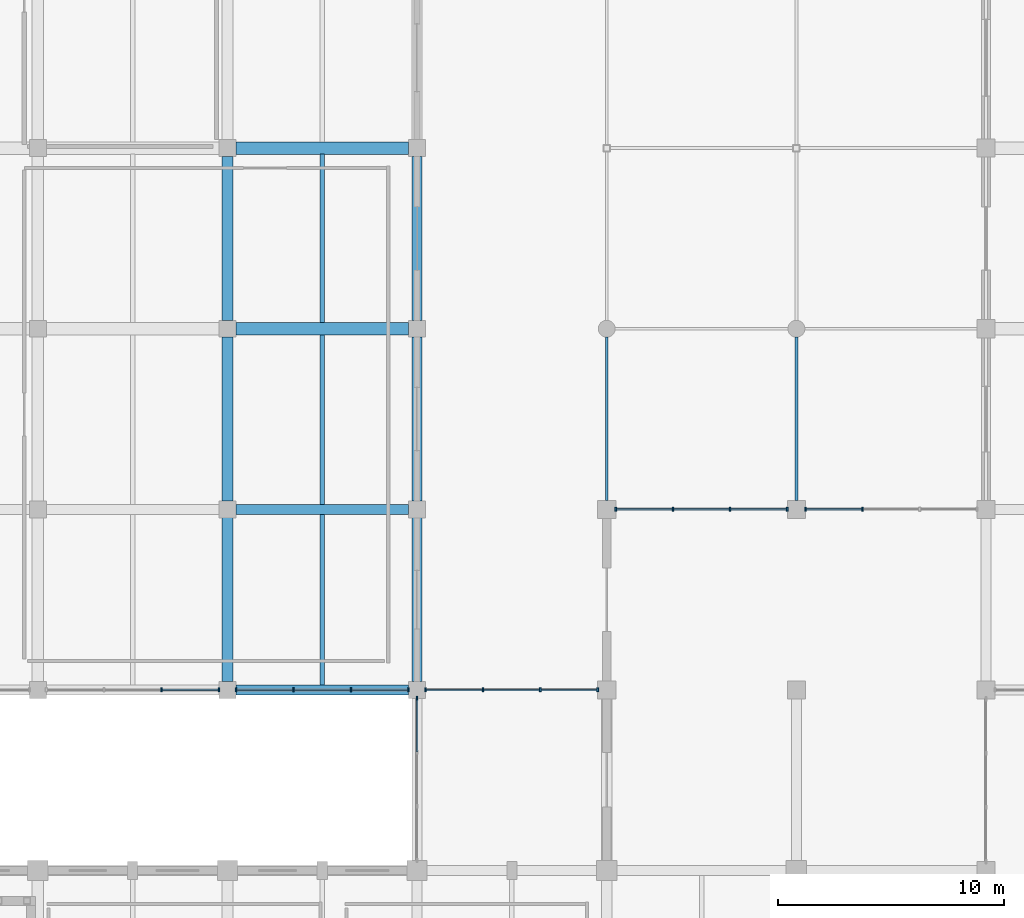
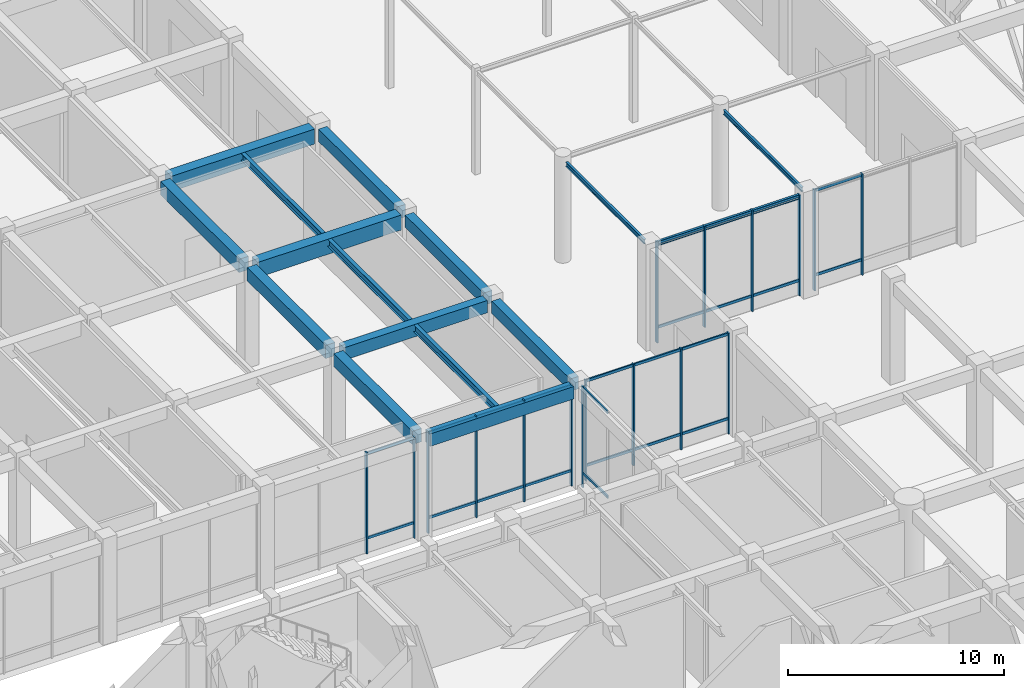
# One storey, part 30 of 76: 41 members, 16 beams, 6 elements without a shape of their own.
"""IFC4 building model written with IfcOpenShell, lengths in metres."""

from ifc_helpers import new_model, si_unit, direction, frame, origin, origin_2d, place, context, subcontext, project, spatial, rectangle, i_section, extrude, material, layer, layer_set, material_profile, profile_set, type_object, element, aggregate, save


model = new_model("IFC4")

# Units and contexts
model_context = context("Model", 3, precision=1e-05, world=origin(), true_north=direction((0.0, 1.0)))
body_context = subcontext(model_context, "Body", "Model", "MODEL_VIEW")
ifc_project = project(units=[si_unit("LENGTHUNIT", "METRE"), si_unit("AREAUNIT", "SQUARE_METRE"), si_unit("VOLUMEUNIT", "CUBIC_METRE"), si_unit("PLANEANGLEUNIT", "RADIAN"), si_unit("MASSUNIT", "GRAM", prefix="KILO")], contexts=[model_context])

# Site, building, storey
site_placement = place(None, origin())
site = spatial("IfcSite", under=ifc_project, at=site_placement, CompositionType="ELEMENT")
building_placement = place(site_placement, origin())
building = spatial("IfcBuilding", under=site, at=building_placement, Name="Naruveol Harbour Congress Hotel", CompositionType="ELEMENT")
storey_placement = place(building_placement, origin())
storey = spatial("IfcBuildingStorey", under=building, at=storey_placement, Name="L00", CompositionType="ELEMENT", Elevation=0.0)

# Beams
ifc_material_1 = material(Name="Concrete C40/50", Category="concrete")
ifc_material_profile_1 = material_profile(ifc_material_1, rectangle(XDim=0.5, YDim=0.75, at=origin_2d()), Name="RCB-500x750")
ifc_profile_set_1 = profile_set([ifc_material_profile_1], Name="Concrete C40/50")
beam_type_1 = type_object("IfcBeamType", Name="RC FLOOR GIRDER 500X750", PredefinedType="BEAM", material=ifc_profile_set_1)
for number, where, z_axis, x_axis, name in (
    (1, (33.60009765625, 64.37109375, 5.324951171875), (0.0, 1.0, 0.0), (-1.0, 0.0, 0.0), "Transverse girder L01 CB3"),
    (2, (33.60009765625, 72.37109375, 5.324951171875), (0.0, 1.0, 0.0), (-1.0, 0.0, 0.0), "Transverse girder L01 CB3"),
    (3, (33.60009765625, 80.37109375, 5.324951171875), (0.0, 1.0, 0.0), (-1.0, 0.0, 0.0), "Transverse girder L01 CB3"),
):
    element("IfcBeam", number, at=place(storey_placement, frame(where, z_axis=z_axis, x_axis=x_axis)), inside=storey, type_object=beam_type_1, Name=name, PredefinedType="BEAM", context=body_context, shape_type="SweptSolid", body=[
        extrude(rectangle(XDim=0.5, YDim=0.75, at=origin_2d()), origin(), (0.0, 0.0, 1.0), 7.2578125),
    ])
ifc_material_2 = material(Name="Concrete C40/50", Category="concrete")
ifc_material_profile_2 = material_profile(ifc_material_2, rectangle(XDim=0.550048828125, YDim=0.85009765625, at=origin_2d()), Name="RCB-550x850")
ifc_profile_set_2 = profile_set([ifc_material_profile_2], Name="Concrete C40/50")
beam_type_2 = type_object("IfcBeamType", Name="RC PRIMARY GIRDER 550X850", PredefinedType="BEAM", material=ifc_profile_set_2)
for number, where, z_axis, x_axis, name in (
    (4, (33.970947265625, 80.0, 5.27490234375), (1.0, 0.0, 0.0), (0.0, 1.0, 0.0), "Floor girder L01 CB2"),
    (5, (33.970947265625, 88.0, 5.27490234375), (1.0, 0.0, 0.0), (0.0, 1.0, 0.0), "Floor girder L01 CB2"),
):
    element("IfcBeam", number, at=place(storey_placement, frame(where, z_axis=z_axis, x_axis=x_axis)), inside=storey, type_object=beam_type_2, Name=name, PredefinedType="BEAM", context=body_context, shape_type="SweptSolid", body=[
        extrude(rectangle(XDim=0.550048828125, YDim=0.85009765625, at=origin_2d()), origin(), (0.0, 0.0, 1.0), 7.657958984375),
    ])
ifc_material_3 = material(Name="Concrete C40/50", Category="concrete")
ifc_material_profile_3 = material_profile(ifc_material_3, rectangle(XDim=0.449951171875, YDim=0.699951171875, at=origin_2d()), Name="RCB-450x700")
ifc_profile_set_3 = profile_set([ifc_material_profile_3], Name="Concrete C40/50")
beam_type_3 = type_object("IfcBeamType", Name="RC SPANDREL BEAM 450X700", PredefinedType="SPANDREL", material=ifc_profile_set_3)
for number, where, z_axis, x_axis, name in (
    (6, (33.970947265625, 64.0, 5.35009765625), (1.0, 0.0, 0.0), (0.0, 1.0, 0.0), "Floor girder L01 SPB1"),
    (7, (33.970947265625, 72.0, 5.35009765625), (1.0, 0.0, 0.0), (0.0, 1.0, 0.0), "Floor girder L01 SPB1"),
):
    element("IfcBeam", number, at=place(storey_placement, frame(where, z_axis=z_axis, x_axis=x_axis)), inside=storey, type_object=beam_type_3, Name=name, PredefinedType="SPANDREL", context=body_context, shape_type="SweptSolid", body=[
        extrude(rectangle(XDim=0.449951171875, YDim=0.699951171875, at=origin_2d()), origin(), (0.0, 0.0, 1.0), 7.657958984375),
    ])
for number, where, z_axis, x_axis, name in (
    (8, (42.0, 64.37109375, 5.35009765625), (0.0, 1.0, 0.0), (-1.0, 0.0, 0.0), "Transverse girder L01 SPB1"),
    (9, (42.0, 72.37109375, 5.35009765625), (0.0, 1.0, 0.0), (-1.0, 0.0, 0.0), "Transverse girder L01 SPB1"),
    (10, (42.0, 80.37109375, 5.35009765625), (0.0, 1.0, 0.0), (-1.0, 0.0, 0.0), "Transverse girder L01 SPB1"),
):
    element("IfcBeam", number, at=place(storey_placement, frame(where, z_axis=z_axis, x_axis=x_axis)), inside=storey, type_object=beam_type_3, Name=name, PredefinedType="SPANDREL", context=body_context, shape_type="SweptSolid", body=[
        extrude(rectangle(XDim=0.449951171875, YDim=0.699951171875, at=origin_2d()), origin(), (0.0, 0.0, 1.0), 7.2578125),
    ])
ifc_material_4 = material(Name="Steel SN490", Category="steel")
ifc_material_profile_4 = material_profile(ifc_material_4, i_section(OverallWidth=0.125, OverallDepth=0.25, WebThickness=0.006103515625, FlangeThickness=0.009033203125, at=origin_2d()), Name="H-250x125x6x9")
ifc_profile_set_4 = profile_set([ifc_material_profile_4], Name="Steel SN490")
beam_type_4 = type_object("IfcBeamType", Name="STEEL CANOPY EDGE BEAM H250", PredefinedType="BEAM", material=ifc_profile_set_4)
beam_1_placement = place(storey_placement, frame((50.7958984375, 72.0, 5.574951171875), z_axis=(1.0, 0.0, 0.0), x_axis=(0.0, 1.0, 0.0)))
element("IfcBeam", 11, at=beam_1_placement, inside=storey, type_object=beam_type_4, Name="Floor girder L01 SB3", PredefinedType="BEAM", context=body_context, shape_type="SweptSolid", body=[
    extrude(i_section(OverallWidth=0.125, OverallDepth=0.25, WebThickness=0.006103515625, FlangeThickness=0.009033203125, at=origin_2d()), origin(), (0.0, 0.0, 1.0), 7.608154296875),
])
for number, where, z_axis, x_axis, name in (
    (12, (50.39990234375, 72.39599609375, 5.574951171875), (0.0, 1.0, 0.0), (-1.0, 0.0, 0.0), "Transverse girder L01 SB3"),
    (13, (58.800048828125, 72.39599609375, 5.574951171875), (0.0, 1.0, 0.0), (-1.0, 0.0, 0.0), "Transverse girder L01 SB3"),
):
    element("IfcBeam", number, at=place(storey_placement, frame(where, z_axis=z_axis, x_axis=x_axis)), inside=storey, type_object=beam_type_4, Name=name, PredefinedType="BEAM", context=body_context, shape_type="SweptSolid", body=[
        extrude(i_section(OverallWidth=0.125, OverallDepth=0.25, WebThickness=0.006103515625, FlangeThickness=0.009033203125, at=origin_2d()), origin(), (0.0, 0.0, 1.0), 7.23291015625),
    ])
ifc_material_5 = material(Name="Steel SN490", Category="steel")
ifc_material_profile_5 = material_profile(ifc_material_5, i_section(OverallWidth=0.199951171875, OverallDepth=0.39990234375, WebThickness=0.008056640625, FlangeThickness=0.012939453125, at=origin_2d()), Name="H-400x200x8x13")
ifc_profile_set_5 = profile_set([ifc_material_profile_5], Name="Steel SN490")
beam_type_5 = type_object("IfcBeamType", Name="STEEL SECONDARY JOIST H400", PredefinedType="JOIST", material=ifc_profile_set_5)
beam_2_placement = place(storey_placement, frame((37.800048828125, 64.220947265625, 5.5), z_axis=(0.0, 1.0, 0.0), x_axis=(-1.0, 0.0, 0.0)))
element("IfcBeam", 14, at=beam_2_placement, inside=storey, type_object=beam_type_5, Name="Secondary floor joist L01 SJ1", PredefinedType="JOIST", context=body_context, shape_type="SweptSolid", body=[
    extrude(i_section(OverallWidth=0.199951171875, OverallDepth=0.39990234375, WebThickness=0.008056640625, FlangeThickness=0.012939453125, at=origin_2d()), origin(), (0.0, 0.0, 1.0), 7.55810546875),
])
beam_3_placement = place(storey_placement, frame((37.800048828125, 72.220947265625, 5.5), z_axis=(0.0, 1.0, 0.0), x_axis=(-1.0, 0.0, 0.0)))
element("IfcBeam", 15, at=beam_3_placement, inside=storey, type_object=beam_type_5, Name="Secondary floor joist L01 SJ1", PredefinedType="JOIST", context=body_context, shape_type="SweptSolid", body=[
    extrude(i_section(OverallWidth=0.199951171875, OverallDepth=0.39990234375, WebThickness=0.008056640625, FlangeThickness=0.012939453125, at=origin_2d()), origin(), (0.0, 0.0, 1.0), 7.508056640625),
])
beam_4_placement = place(storey_placement, frame((37.800048828125, 80.27099609375, 5.5), z_axis=(0.0, 1.0, 0.0), x_axis=(-1.0, 0.0, 0.0)))
element("IfcBeam", 16, at=beam_4_placement, inside=storey, type_object=beam_type_5, Name="Secondary floor joist L01 SJ1", PredefinedType="JOIST", context=body_context, shape_type="SweptSolid", body=[
    extrude(i_section(OverallWidth=0.199951171875, OverallDepth=0.39990234375, WebThickness=0.008056640625, FlangeThickness=0.012939453125, at=origin_2d()), origin(), (0.0, 0.0, 1.0), 7.4580078125),
])

# Curtain wall, members
ifc_material_6 = material(Name="Low-E Curtain Wall System", Category="glass")
ifc_layer_1 = layer(ifc_material_6, 0.179931640625)
ifc_layer_set_1 = layer_set([ifc_layer_1], Name="Low-E Curtain Wall System")
curtain_wall_type_1 = type_object("IfcCurtainWallType", Name="UNITISED CURTAIN WALL CW-SPLN-08 7625X5700", PredefinedType="USERDEFINED", material=ifc_layer_set_1)
curtain_wall_1_placement = place(storey_placement, origin())
curtain_wall_1 = element("IfcCurtainWall", 17, at=curtain_wall_1_placement, inside=storey, type_object=curtain_wall_type_1, Name="Unitised curtain wall CW-SPLN-08 L00", ObjectType="UNITISED GLAZING", PredefinedType="USERDEFINED")
ifc_material_7 = material(Name="Anodised Aluminium 6063-T6", Category="aluminium")
ifc_material_profile_6 = material_profile(ifc_material_7, rectangle(XDim=0.074951171875, YDim=0.179931640625, at=origin_2d()), Name="ALU-75x180")
ifc_profile_set_6 = profile_set([ifc_material_profile_6], Name="Anodised Aluminium 6063-T6")
member_type_1 = type_object("IfcMemberType", Name="THERMAL ALUMINIUM MULLION 75X180", PredefinedType="MULLION", material=ifc_profile_set_6)
member_1_placement = place(storey_placement, frame((42.375, 64.0, 0.0), z_axis=(0.0, 0.0, 1.0), x_axis=(1.0, 0.0, 0.0)))
member_1 = element("IfcMember", 18, at=member_1_placement, type_object=member_type_1, Name="Curtain wall mullion CW-L00-0009-M0", PredefinedType="MULLION", context=body_context, shape_type="SweptSolid", body=[
    extrude(rectangle(XDim=0.074951171875, YDim=0.179931640625, at=origin_2d()), origin(), (0.0, 0.0, 1.0), 5.699951171875),
])
member_2_placement = place(storey_placement, frame((44.916748046875, 64.0, 0.0), z_axis=(0.0, 0.0, 1.0), x_axis=(1.0, 0.0, 0.0)))
member_2 = element("IfcMember", 19, at=member_2_placement, type_object=member_type_1, Name="Curtain wall mullion CW-L00-0009-M1", PredefinedType="MULLION", context=body_context, shape_type="SweptSolid", body=[
    extrude(rectangle(XDim=0.074951171875, YDim=0.179931640625, at=origin_2d()), origin(), (0.0, 0.0, 1.0), 5.699951171875),
])
member_3_placement = place(storey_placement, frame((47.458251953125, 64.0, 0.0), z_axis=(0.0, 0.0, 1.0), x_axis=(1.0, 0.0, 0.0)))
member_3 = element("IfcMember", 20, at=member_3_placement, type_object=member_type_1, Name="Curtain wall mullion CW-L00-0009-M2", PredefinedType="MULLION", context=body_context, shape_type="SweptSolid", body=[
    extrude(rectangle(XDim=0.074951171875, YDim=0.179931640625, at=origin_2d()), origin(), (0.0, 0.0, 1.0), 5.699951171875),
])
member_4_placement = place(storey_placement, frame((50.0, 64.0, 0.0), z_axis=(0.0, 0.0, 1.0), x_axis=(1.0, 0.0, 0.0)))
member_4 = element("IfcMember", 21, at=member_4_placement, type_object=member_type_1, Name="Curtain wall mullion CW-L00-0009-M3", PredefinedType="MULLION", context=body_context, shape_type="SweptSolid", body=[
    extrude(rectangle(XDim=0.074951171875, YDim=0.179931640625, at=origin_2d()), origin(), (0.0, 0.0, 1.0), 5.699951171875),
])

# Curtain wall, member
ifc_material_8 = material(Name="Low-E Curtain Wall System", Category="glass")
ifc_layer_2 = layer(ifc_material_8, 0.179931640625)
ifc_layer_set_2 = layer_set([ifc_layer_2], Name="Low-E Curtain Wall System")
curtain_wall_type_2 = type_object("IfcCurtainWallType", Name="UNITISED CURTAIN WALL CW-SPLW-09 7175X5700", PredefinedType="USERDEFINED", material=ifc_layer_set_2)
curtain_wall_2_placement = place(storey_placement, origin())
curtain_wall_2 = element("IfcCurtainWall", 22, at=curtain_wall_2_placement, inside=storey, type_object=curtain_wall_type_2, Name="Unitised curtain wall CW-SPLW-09 L00", ObjectType="UNITISED GLAZING", PredefinedType="USERDEFINED")
member_5_placement = place(storey_placement, frame((42.0, 63.625, 0.0), z_axis=(0.0, 0.0, 1.0), x_axis=(1.0, 0.0, 0.0)))
member_5 = element("IfcMember", 23, at=member_5_placement, type_object=member_type_1, Name="Curtain wall mullion CW-L00-0010-M3", PredefinedType="MULLION", context=body_context, shape_type="SweptSolid", body=[
    extrude(rectangle(XDim=0.074951171875, YDim=0.179931640625, at=origin_2d()), origin(), (0.0, 0.0, 1.0), 5.699951171875),
])

# Curtain wall, members
ifc_material_9 = material(Name="Low-E Curtain Wall System", Category="glass")
ifc_layer_3 = layer(ifc_material_9, 0.179931640625)
ifc_layer_set_3 = layer_set([ifc_layer_3], Name="Low-E Curtain Wall System")
curtain_wall_type_3 = type_object("IfcCurtainWallType", Name="UNITISED CURTAIN WALL CW-V3S-12 7650X5700", PredefinedType="USERDEFINED", material=ifc_layer_set_3)
curtain_wall_3_placement = place(storey_placement, origin())
curtain_wall_3 = element("IfcCurtainWall", 24, at=curtain_wall_3_placement, inside=storey, type_object=curtain_wall_type_3, Name="Unitised curtain wall CW-V3S-12 L00", ObjectType="UNITISED GLAZING", PredefinedType="USERDEFINED")
member_6_placement = place(storey_placement, frame((41.625, 64.0, 0.0), z_axis=(0.0, 0.0, 1.0), x_axis=(1.0, 0.0, 0.0)))
member_6 = element("IfcMember", 25, at=member_6_placement, type_object=member_type_1, Name="Curtain wall mullion CW-L00-0013-M0", PredefinedType="MULLION", context=body_context, shape_type="SweptSolid", body=[
    extrude(rectangle(XDim=0.074951171875, YDim=0.179931640625, at=origin_2d()), origin(), (0.0, 0.0, 1.0), 5.699951171875),
])
member_7_placement = place(storey_placement, frame((39.074951171875, 64.0, 0.0), z_axis=(0.0, 0.0, 1.0), x_axis=(1.0, 0.0, 0.0)))
member_7 = element("IfcMember", 26, at=member_7_placement, type_object=member_type_1, Name="Curtain wall mullion CW-L00-0013-M1", PredefinedType="MULLION", context=body_context, shape_type="SweptSolid", body=[
    extrude(rectangle(XDim=0.074951171875, YDim=0.179931640625, at=origin_2d()), origin(), (0.0, 0.0, 1.0), 5.699951171875),
])
member_8_placement = place(storey_placement, frame((36.52490234375, 64.0, 0.0), z_axis=(0.0, 0.0, 1.0), x_axis=(1.0, 0.0, 0.0)))
member_8 = element("IfcMember", 27, at=member_8_placement, type_object=member_type_1, Name="Curtain wall mullion CW-L00-0013-M2", PredefinedType="MULLION", context=body_context, shape_type="SweptSolid", body=[
    extrude(rectangle(XDim=0.074951171875, YDim=0.179931640625, at=origin_2d()), origin(), (0.0, 0.0, 1.0), 5.699951171875),
])
member_9_placement = place(storey_placement, frame((33.97509765625, 64.0, 0.0), z_axis=(0.0, 0.0, 1.0), x_axis=(1.0, 0.0, 0.0)))
member_9 = element("IfcMember", 28, at=member_9_placement, type_object=member_type_1, Name="Curtain wall mullion CW-L00-0013-M3", PredefinedType="MULLION", context=body_context, shape_type="SweptSolid", body=[
    extrude(rectangle(XDim=0.074951171875, YDim=0.179931640625, at=origin_2d()), origin(), (0.0, 0.0, 1.0), 5.699951171875),
])

curtain_wall_4_placement = place(storey_placement, origin())
curtain_wall_4 = element("IfcCurtainWall", 29, at=curtain_wall_4_placement, inside=storey, type_object=curtain_wall_type_3, Name="Unitised curtain wall CW-V3S-12 L00", ObjectType="UNITISED GLAZING", PredefinedType="USERDEFINED")
member_10_placement = place(storey_placement, frame((33.22509765625, 64.0, 0.0), z_axis=(0.0, 0.0, 1.0), x_axis=(1.0, 0.0, 0.0)))
member_10 = element("IfcMember", 30, at=member_10_placement, type_object=member_type_1, Name="Curtain wall mullion CW-L00-0014-M0", PredefinedType="MULLION", context=body_context, shape_type="SweptSolid", body=[
    extrude(rectangle(XDim=0.074951171875, YDim=0.179931640625, at=origin_2d()), origin(), (0.0, 0.0, 1.0), 5.699951171875),
])
member_11_placement = place(storey_placement, frame((30.675048828125, 64.0, 0.0), z_axis=(0.0, 0.0, 1.0), x_axis=(1.0, 0.0, 0.0)))
member_11 = element("IfcMember", 31, at=member_11_placement, type_object=member_type_1, Name="Curtain wall mullion CW-L00-0014-M1", PredefinedType="MULLION", context=body_context, shape_type="SweptSolid", body=[
    extrude(rectangle(XDim=0.074951171875, YDim=0.179931640625, at=origin_2d()), origin(), (0.0, 0.0, 1.0), 5.699951171875),
])

ifc_material_10 = material(Name="Low-E Curtain Wall System", Category="glass")
ifc_layer_4 = layer(ifc_material_10, 0.179931640625)
ifc_layer_set_4 = layer_set([ifc_layer_4], Name="Low-E Curtain Wall System")
curtain_wall_type_4 = type_object("IfcCurtainWallType", Name="UNITISED CURTAIN WALL CW-V4NF-25 7600X5700", PredefinedType="USERDEFINED", material=ifc_layer_set_4)
curtain_wall_5_placement = place(storey_placement, origin())
curtain_wall_5 = element("IfcCurtainWall", 32, at=curtain_wall_5_placement, inside=storey, type_object=curtain_wall_type_4, Name="Unitised curtain wall CW-V4NF-25 L00", ObjectType="UNITISED GLAZING", PredefinedType="USERDEFINED")
member_12_placement = place(storey_placement, frame((50.800048828125, 72.0, 0.0), z_axis=(0.0, 0.0, 1.0), x_axis=(1.0, 0.0, 0.0)))
member_12 = element("IfcMember", 33, at=member_12_placement, type_object=member_type_1, Name="Curtain wall mullion CW-L00-0052-M0", PredefinedType="MULLION", context=body_context, shape_type="SweptSolid", body=[
    extrude(rectangle(XDim=0.074951171875, YDim=0.179931640625, at=origin_2d()), origin(), (0.0, 0.0, 1.0), 5.699951171875),
])
member_13_placement = place(storey_placement, frame((53.333251953125, 72.0, 0.0), z_axis=(0.0, 0.0, 1.0), x_axis=(1.0, 0.0, 0.0)))
member_13 = element("IfcMember", 34, at=member_13_placement, type_object=member_type_1, Name="Curtain wall mullion CW-L00-0052-M1", PredefinedType="MULLION", context=body_context, shape_type="SweptSolid", body=[
    extrude(rectangle(XDim=0.074951171875, YDim=0.179931640625, at=origin_2d()), origin(), (0.0, 0.0, 1.0), 5.699951171875),
])
member_14_placement = place(storey_placement, frame((55.86669921875, 72.0, 0.0), z_axis=(0.0, 0.0, 1.0), x_axis=(1.0, 0.0, 0.0)))
member_14 = element("IfcMember", 35, at=member_14_placement, type_object=member_type_1, Name="Curtain wall mullion CW-L00-0052-M2", PredefinedType="MULLION", context=body_context, shape_type="SweptSolid", body=[
    extrude(rectangle(XDim=0.074951171875, YDim=0.179931640625, at=origin_2d()), origin(), (0.0, 0.0, 1.0), 5.699951171875),
])
member_15_placement = place(storey_placement, frame((58.39990234375, 72.0, 0.0), z_axis=(0.0, 0.0, 1.0), x_axis=(1.0, 0.0, 0.0)))
member_15 = element("IfcMember", 36, at=member_15_placement, type_object=member_type_1, Name="Curtain wall mullion CW-L00-0052-M3", PredefinedType="MULLION", context=body_context, shape_type="SweptSolid", body=[
    extrude(rectangle(XDim=0.074951171875, YDim=0.179931640625, at=origin_2d()), origin(), (0.0, 0.0, 1.0), 5.699951171875),
])

curtain_wall_6_placement = place(storey_placement, origin())
curtain_wall_6 = element("IfcCurtainWall", 37, at=curtain_wall_6_placement, inside=storey, type_object=curtain_wall_type_4, Name="Unitised curtain wall CW-V4NF-25 L00", ObjectType="UNITISED GLAZING", PredefinedType="USERDEFINED")
member_16_placement = place(storey_placement, frame((59.199951171875, 72.0, 0.0), z_axis=(0.0, 0.0, 1.0), x_axis=(1.0, 0.0, 0.0)))
member_16 = element("IfcMember", 38, at=member_16_placement, type_object=member_type_1, Name="Curtain wall mullion CW-L00-0053-M0", PredefinedType="MULLION", context=body_context, shape_type="SweptSolid", body=[
    extrude(rectangle(XDim=0.074951171875, YDim=0.179931640625, at=origin_2d()), origin(), (0.0, 0.0, 1.0), 5.699951171875),
])
member_17_placement = place(storey_placement, frame((61.7333984375, 72.0, 0.0), z_axis=(0.0, 0.0, 1.0), x_axis=(1.0, 0.0, 0.0)))
member_17 = element("IfcMember", 39, at=member_17_placement, type_object=member_type_1, Name="Curtain wall mullion CW-L00-0053-M1", PredefinedType="MULLION", context=body_context, shape_type="SweptSolid", body=[
    extrude(rectangle(XDim=0.074951171875, YDim=0.179931640625, at=origin_2d()), origin(), (0.0, 0.0, 1.0), 5.699951171875),
])

# Member
ifc_material_11 = material(Name="Anodised Aluminium 6063-T6", Category="aluminium")
ifc_material_profile_7 = material_profile(ifc_material_11, rectangle(XDim=0.074951171875, YDim=0.14990234375, at=origin_2d()), Name="ALU-75x150")
ifc_profile_set_7 = profile_set([ifc_material_profile_7], Name="Anodised Aluminium 6063-T6")
member_type_2 = type_object("IfcMemberType", Name="THERMAL ALUMINIUM TRANSOM 75X150", PredefinedType="USERDEFINED", material=ifc_profile_set_7)
member_18_placement = place(storey_placement, frame((42.4150390625, 64.0, 0.85009765625), z_axis=(1.0, 0.0, 0.0), x_axis=(0.0, 1.0, 0.0)))
member_18 = element("IfcMember", 40, at=member_18_placement, type_object=member_type_2, Name="Curtain wall transom CW-L00-0009-T0.1", ObjectType="TRANSOM", PredefinedType="USERDEFINED", context=body_context, shape_type="SweptSolid", body=[
    extrude(rectangle(XDim=0.074951171875, YDim=0.14990234375, at=origin_2d()), origin(), (0.0, 0.0, 1.0), 2.461669921875),
])

member_19_placement = place(storey_placement, frame((42.4150390625, 64.0, 5.6201171875), z_axis=(1.0, 0.0, 0.0), x_axis=(0.0, 1.0, 0.0)))
member_19 = element("IfcMember", 41, at=member_19_placement, type_object=member_type_2, Name="Curtain wall transom CW-L00-0009-T0.2", ObjectType="TRANSOM", PredefinedType="USERDEFINED", context=body_context, shape_type="SweptSolid", body=[
    extrude(rectangle(XDim=0.074951171875, YDim=0.14990234375, at=origin_2d()), origin(), (0.0, 0.0, 1.0), 2.461669921875),
])

member_20_placement = place(storey_placement, frame((44.956787109375, 64.0, 0.85009765625), z_axis=(1.0, 0.0, 0.0), x_axis=(0.0, 1.0, 0.0)))
member_20 = element("IfcMember", 42, at=member_20_placement, type_object=member_type_2, Name="Curtain wall transom CW-L00-0009-T1.1", ObjectType="TRANSOM", PredefinedType="USERDEFINED", context=body_context, shape_type="SweptSolid", body=[
    extrude(rectangle(XDim=0.074951171875, YDim=0.14990234375, at=origin_2d()), origin(), (0.0, 0.0, 1.0), 2.46142578125),
])

member_21_placement = place(storey_placement, frame((44.956787109375, 64.0, 5.6201171875), z_axis=(1.0, 0.0, 0.0), x_axis=(0.0, 1.0, 0.0)))
member_21 = element("IfcMember", 43, at=member_21_placement, type_object=member_type_2, Name="Curtain wall transom CW-L00-0009-T1.2", ObjectType="TRANSOM", PredefinedType="USERDEFINED", context=body_context, shape_type="SweptSolid", body=[
    extrude(rectangle(XDim=0.074951171875, YDim=0.14990234375, at=origin_2d()), origin(), (0.0, 0.0, 1.0), 2.46142578125),
])

member_22_placement = place(storey_placement, frame((47.498291015625, 64.0, 0.85009765625), z_axis=(1.0, 0.0, 0.0), x_axis=(0.0, 1.0, 0.0)))
member_22 = element("IfcMember", 44, at=member_22_placement, type_object=member_type_2, Name="Curtain wall transom CW-L00-0009-T2.1", ObjectType="TRANSOM", PredefinedType="USERDEFINED", context=body_context, shape_type="SweptSolid", body=[
    extrude(rectangle(XDim=0.074951171875, YDim=0.14990234375, at=origin_2d()), origin(), (0.0, 0.0, 1.0), 2.461669921875),
])

member_23_placement = place(storey_placement, frame((47.498291015625, 64.0, 5.6201171875), z_axis=(1.0, 0.0, 0.0), x_axis=(0.0, 1.0, 0.0)))
member_23 = element("IfcMember", 45, at=member_23_placement, type_object=member_type_2, Name="Curtain wall transom CW-L00-0009-T2.2", ObjectType="TRANSOM", PredefinedType="USERDEFINED", context=body_context, shape_type="SweptSolid", body=[
    extrude(rectangle(XDim=0.074951171875, YDim=0.14990234375, at=origin_2d()), origin(), (0.0, 0.0, 1.0), 2.461669921875),
])

aggregate(curtain_wall_1, [member_1, member_2, member_3, member_4, member_18, member_19, member_20, member_21, member_22, member_23])

member_24_placement = place(storey_placement, frame((42.0, 61.273193359375, 0.85009765625), z_axis=(0.0, 1.0, 0.0), x_axis=(-1.0, 0.0, 0.0)))
member_24 = element("IfcMember", 46, at=member_24_placement, type_object=member_type_2, Name="Curtain wall transom CW-L00-0010-T2.1", ObjectType="TRANSOM", PredefinedType="USERDEFINED", context=body_context, shape_type="SweptSolid", body=[
    extrude(rectangle(XDim=0.074951171875, YDim=0.14990234375, at=origin_2d()), origin(), (0.0, 0.0, 1.0), 2.311767578125),
])

member_25_placement = place(storey_placement, frame((42.0, 61.273193359375, 5.6201171875), z_axis=(0.0, 1.0, 0.0), x_axis=(-1.0, 0.0, 0.0)))
member_25 = element("IfcMember", 47, at=member_25_placement, type_object=member_type_2, Name="Curtain wall transom CW-L00-0010-T2.2", ObjectType="TRANSOM", PredefinedType="USERDEFINED", context=body_context, shape_type="SweptSolid", body=[
    extrude(rectangle(XDim=0.074951171875, YDim=0.14990234375, at=origin_2d()), origin(), (0.0, 0.0, 1.0), 2.311767578125),
])

aggregate(curtain_wall_2, [member_5, member_24, member_25])

member_26_placement = place(storey_placement, frame((41.5849609375, 64.0, 0.85009765625), z_axis=(-1.0, 0.0, 0.0), x_axis=(0.0, -1.0, 0.0)))
member_26 = element("IfcMember", 48, at=member_26_placement, type_object=member_type_2, Name="Curtain wall transom CW-L00-0013-T0.1", ObjectType="TRANSOM", PredefinedType="USERDEFINED", context=body_context, shape_type="SweptSolid", body=[
    extrude(rectangle(XDim=0.074951171875, YDim=0.14990234375, at=origin_2d()), origin(), (0.0, 0.0, 1.0), 2.469970703125),
])

member_27_placement = place(storey_placement, frame((41.5849609375, 64.0, 5.6201171875), z_axis=(-1.0, 0.0, 0.0), x_axis=(0.0, -1.0, 0.0)))
member_27 = element("IfcMember", 49, at=member_27_placement, type_object=member_type_2, Name="Curtain wall transom CW-L00-0013-T0.2", ObjectType="TRANSOM", PredefinedType="USERDEFINED", context=body_context, shape_type="SweptSolid", body=[
    extrude(rectangle(XDim=0.074951171875, YDim=0.14990234375, at=origin_2d()), origin(), (0.0, 0.0, 1.0), 2.469970703125),
])

member_28_placement = place(storey_placement, frame((39.034912109375, 64.0, 0.85009765625), z_axis=(-1.0, 0.0, 0.0), x_axis=(0.0, -1.0, 0.0)))
member_28 = element("IfcMember", 50, at=member_28_placement, type_object=member_type_2, Name="Curtain wall transom CW-L00-0013-T1.1", ObjectType="TRANSOM", PredefinedType="USERDEFINED", context=body_context, shape_type="SweptSolid", body=[
    extrude(rectangle(XDim=0.074951171875, YDim=0.14990234375, at=origin_2d()), origin(), (0.0, 0.0, 1.0), 2.469970703125),
])

member_29_placement = place(storey_placement, frame((39.034912109375, 64.0, 5.6201171875), z_axis=(-1.0, 0.0, 0.0), x_axis=(0.0, -1.0, 0.0)))
member_29 = element("IfcMember", 51, at=member_29_placement, type_object=member_type_2, Name="Curtain wall transom CW-L00-0013-T1.2", ObjectType="TRANSOM", PredefinedType="USERDEFINED", context=body_context, shape_type="SweptSolid", body=[
    extrude(rectangle(XDim=0.074951171875, YDim=0.14990234375, at=origin_2d()), origin(), (0.0, 0.0, 1.0), 2.469970703125),
])

member_30_placement = place(storey_placement, frame((36.485107421875, 64.0, 0.85009765625), z_axis=(-1.0, 0.0, 0.0), x_axis=(0.0, -1.0, 0.0)))
member_30 = element("IfcMember", 52, at=member_30_placement, type_object=member_type_2, Name="Curtain wall transom CW-L00-0013-T2.1", ObjectType="TRANSOM", PredefinedType="USERDEFINED", context=body_context, shape_type="SweptSolid", body=[
    extrude(rectangle(XDim=0.074951171875, YDim=0.14990234375, at=origin_2d()), origin(), (0.0, 0.0, 1.0), 2.47021484375),
])

member_31_placement = place(storey_placement, frame((36.485107421875, 64.0, 5.6201171875), z_axis=(-1.0, 0.0, 0.0), x_axis=(0.0, -1.0, 0.0)))
member_31 = element("IfcMember", 53, at=member_31_placement, type_object=member_type_2, Name="Curtain wall transom CW-L00-0013-T2.2", ObjectType="TRANSOM", PredefinedType="USERDEFINED", context=body_context, shape_type="SweptSolid", body=[
    extrude(rectangle(XDim=0.074951171875, YDim=0.14990234375, at=origin_2d()), origin(), (0.0, 0.0, 1.0), 2.47021484375),
])

aggregate(curtain_wall_3, [member_6, member_7, member_8, member_9, member_26, member_27, member_28, member_29, member_30, member_31])

member_32_placement = place(storey_placement, frame((33.18505859375, 64.0, 0.85009765625), z_axis=(-1.0, 0.0, 0.0), x_axis=(0.0, -1.0, 0.0)))
member_32 = element("IfcMember", 54, at=member_32_placement, type_object=member_type_2, Name="Curtain wall transom CW-L00-0014-T0.1", ObjectType="TRANSOM", PredefinedType="USERDEFINED", context=body_context, shape_type="SweptSolid", body=[
    extrude(rectangle(XDim=0.074951171875, YDim=0.14990234375, at=origin_2d()), origin(), (0.0, 0.0, 1.0), 2.469970703125),
])

member_33_placement = place(storey_placement, frame((33.18505859375, 64.0, 5.6201171875), z_axis=(-1.0, 0.0, 0.0), x_axis=(0.0, -1.0, 0.0)))
member_33 = element("IfcMember", 55, at=member_33_placement, type_object=member_type_2, Name="Curtain wall transom CW-L00-0014-T0.2", ObjectType="TRANSOM", PredefinedType="USERDEFINED", context=body_context, shape_type="SweptSolid", body=[
    extrude(rectangle(XDim=0.074951171875, YDim=0.14990234375, at=origin_2d()), origin(), (0.0, 0.0, 1.0), 2.469970703125),
])

aggregate(curtain_wall_4, [member_10, member_11, member_32, member_33])

member_34_placement = place(storey_placement, frame((50.840087890625, 72.0, 0.85009765625), z_axis=(1.0, 0.0, 0.0), x_axis=(0.0, 1.0, 0.0)))
member_34 = element("IfcMember", 56, at=member_34_placement, type_object=member_type_2, Name="Curtain wall transom CW-L00-0052-T0.1", ObjectType="TRANSOM", PredefinedType="USERDEFINED", context=body_context, shape_type="SweptSolid", body=[
    extrude(rectangle(XDim=0.074951171875, YDim=0.14990234375, at=origin_2d()), origin(), (0.0, 0.0, 1.0), 2.453125),
])

member_35_placement = place(storey_placement, frame((50.840087890625, 72.0, 5.6201171875), z_axis=(1.0, 0.0, 0.0), x_axis=(0.0, 1.0, 0.0)))
member_35 = element("IfcMember", 57, at=member_35_placement, type_object=member_type_2, Name="Curtain wall transom CW-L00-0052-T0.2", ObjectType="TRANSOM", PredefinedType="USERDEFINED", context=body_context, shape_type="SweptSolid", body=[
    extrude(rectangle(XDim=0.074951171875, YDim=0.14990234375, at=origin_2d()), origin(), (0.0, 0.0, 1.0), 2.453125),
])

member_36_placement = place(storey_placement, frame((53.373291015625, 72.0, 0.85009765625), z_axis=(1.0, 0.0, 0.0), x_axis=(0.0, 1.0, 0.0)))
member_36 = element("IfcMember", 58, at=member_36_placement, type_object=member_type_2, Name="Curtain wall transom CW-L00-0052-T1.1", ObjectType="TRANSOM", PredefinedType="USERDEFINED", context=body_context, shape_type="SweptSolid", body=[
    extrude(rectangle(XDim=0.074951171875, YDim=0.14990234375, at=origin_2d()), origin(), (0.0, 0.0, 1.0), 2.453369140625),
])

member_37_placement = place(storey_placement, frame((53.373291015625, 72.0, 5.6201171875), z_axis=(1.0, 0.0, 0.0), x_axis=(0.0, 1.0, 0.0)))
member_37 = element("IfcMember", 59, at=member_37_placement, type_object=member_type_2, Name="Curtain wall transom CW-L00-0052-T1.2", ObjectType="TRANSOM", PredefinedType="USERDEFINED", context=body_context, shape_type="SweptSolid", body=[
    extrude(rectangle(XDim=0.074951171875, YDim=0.14990234375, at=origin_2d()), origin(), (0.0, 0.0, 1.0), 2.453369140625),
])

member_38_placement = place(storey_placement, frame((55.90673828125, 72.0, 0.85009765625), z_axis=(1.0, 0.0, 0.0), x_axis=(0.0, 1.0, 0.0)))
member_38 = element("IfcMember", 60, at=member_38_placement, type_object=member_type_2, Name="Curtain wall transom CW-L00-0052-T2.1", ObjectType="TRANSOM", PredefinedType="USERDEFINED", context=body_context, shape_type="SweptSolid", body=[
    extrude(rectangle(XDim=0.074951171875, YDim=0.14990234375, at=origin_2d()), origin(), (0.0, 0.0, 1.0), 2.453369140625),
])

member_39_placement = place(storey_placement, frame((55.90673828125, 72.0, 5.6201171875), z_axis=(1.0, 0.0, 0.0), x_axis=(0.0, 1.0, 0.0)))
member_39 = element("IfcMember", 61, at=member_39_placement, type_object=member_type_2, Name="Curtain wall transom CW-L00-0052-T2.2", ObjectType="TRANSOM", PredefinedType="USERDEFINED", context=body_context, shape_type="SweptSolid", body=[
    extrude(rectangle(XDim=0.074951171875, YDim=0.14990234375, at=origin_2d()), origin(), (0.0, 0.0, 1.0), 2.453369140625),
])

aggregate(curtain_wall_5, [member_12, member_13, member_14, member_15, member_34, member_35, member_36, member_37, member_38, member_39])

member_40_placement = place(storey_placement, frame((59.239990234375, 72.0, 0.85009765625), z_axis=(1.0, 0.0, 0.0), x_axis=(0.0, 1.0, 0.0)))
member_40 = element("IfcMember", 62, at=member_40_placement, type_object=member_type_2, Name="Curtain wall transom CW-L00-0053-T0.1", ObjectType="TRANSOM", PredefinedType="USERDEFINED", context=body_context, shape_type="SweptSolid", body=[
    extrude(rectangle(XDim=0.074951171875, YDim=0.14990234375, at=origin_2d()), origin(), (0.0, 0.0, 1.0), 2.453369140625),
])

member_41_placement = place(storey_placement, frame((59.239990234375, 72.0, 5.6201171875), z_axis=(1.0, 0.0, 0.0), x_axis=(0.0, 1.0, 0.0)))
member_41 = element("IfcMember", 63, at=member_41_placement, type_object=member_type_2, Name="Curtain wall transom CW-L00-0053-T0.2", ObjectType="TRANSOM", PredefinedType="USERDEFINED", context=body_context, shape_type="SweptSolid", body=[
    extrude(rectangle(XDim=0.074951171875, YDim=0.14990234375, at=origin_2d()), origin(), (0.0, 0.0, 1.0), 2.453369140625),
])

aggregate(curtain_wall_6, [member_16, member_17, member_40, member_41])

save(model, "model.ifc")
